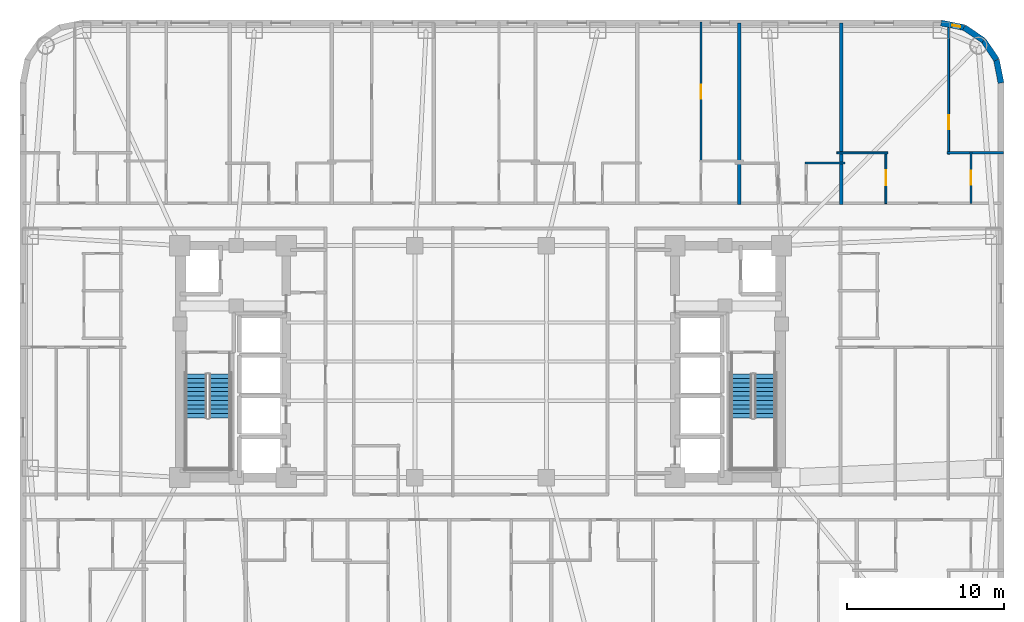
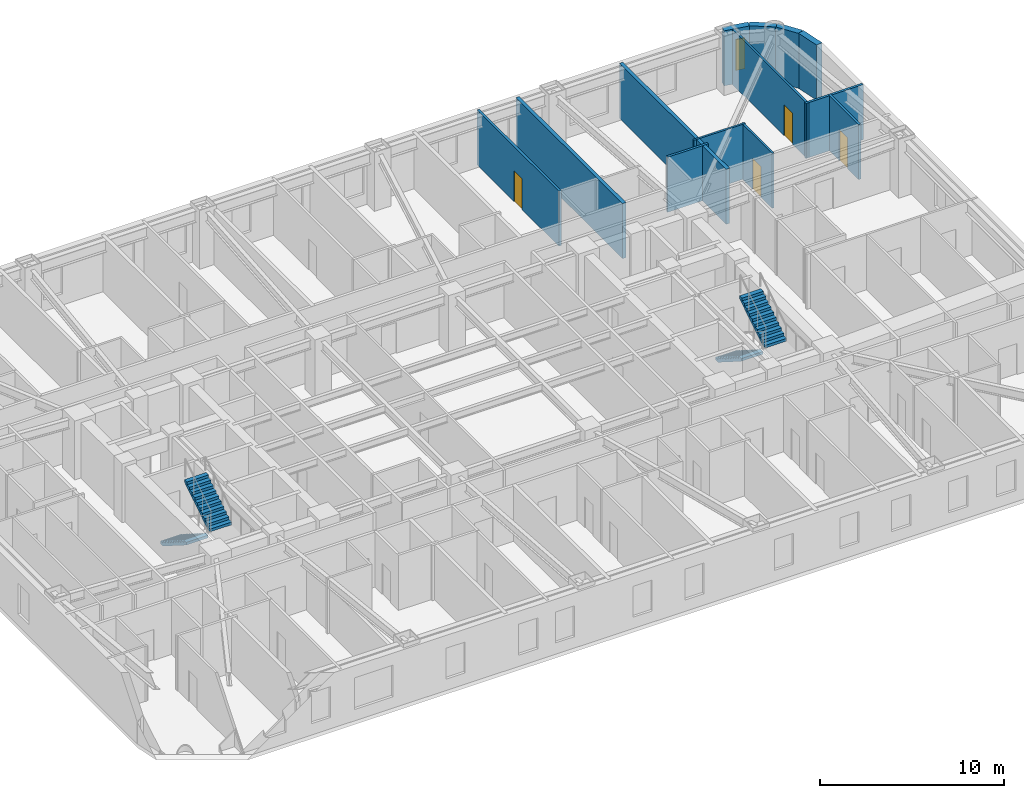
# One storey, part 10 of 12: 13 walls, 4 doors, 4 stair flights, 1 window, 5 openings, 2 elements without a shape of their own.
"""IFC4 building model written with IfcOpenShell, lengths in metres."""

import ifcopenshell
import ifcopenshell.guid

model = None  # the IFC model being written
_history = None  # IfcOwnerHistory: only IFC2X3 demands one
_inside = {}  # id of a spatial element -> (the spatial element, [elements in it])
_under = {}  # id of a project, library or spatial element -> (it, [spatial elements below it])
_declared = {}  # id of a project -> (the project, [libraries it declares])
_typed = {}  # id of a type object -> (the type object, [elements of that type])
_made_of = {}  # id of a material, layer set ... -> (it, [elements and type objects made of it])


def new_model(schema):
    """Start an empty IFC model of exactly this schema.

    Asked for "IFC4X3", IfcOpenShell would pick the latest addendum, in which some entities
    have other attributes; the version numbers below select the first issue.
    IFC2X3 requires an IfcOwnerHistory on every rooted entity: one is made here for all.
    """
    global model, _history
    if schema == "IFC4X3":
        model = ifcopenshell.file(schema_version=(4, 3, 0, 0))
    else:
        model = ifcopenshell.file(schema=schema)
    _inside.clear()
    _under.clear()
    _declared.clear()
    _typed.clear()
    _made_of.clear()
    _history = None
    if model.schema == "IFC2X3":
        org = make("IfcOrganization", Name="unknown")
        user = make(
            "IfcPersonAndOrganization",
            ThePerson=make("IfcPerson", FamilyName="unknown"),
            TheOrganization=org,
        )
        app = make(
            "IfcApplication",
            ApplicationDeveloper=org,
            Version="unknown",
            ApplicationFullName="unknown",
            ApplicationIdentifier="unknown",
        )
        _history = make(
            "IfcOwnerHistory",
            OwningUser=user,
            OwningApplication=app,
            ChangeAction="ADDED",
            CreationDate=0,
        )
    return model


def make(cls, **values):
    """One entity of the class cls with the attributes given. An attribute that is None is left unset."""
    return model.create_entity(
        cls, **{name: value for name, value in values.items() if value is not None}
    )


def rooted(cls, **values):
    """An entity with a GlobalId (a new one), such as an element, a storey or a relation."""
    return make(cls, GlobalId=ifcopenshell.guid.new(), OwnerHistory=_history, **values)


def si_unit(unit_type, name, prefix=None):
    """IfcSIUnit, for example si_unit("LENGTHUNIT", "METRE", prefix="MILLI")."""
    return make("IfcSIUnit", UnitType=unit_type, Prefix=prefix, Name=name)


def assignment(units):
    """IfcUnitAssignment: the units of a project."""
    return None if units is None else make("IfcUnitAssignment", Units=units)


def point(xyz):
    """IfcCartesianPoint."""
    return None if xyz is None else make("IfcCartesianPoint", Coordinates=xyz)


def direction(xyz):
    """IfcDirection."""
    return None if xyz is None else make("IfcDirection", DirectionRatios=xyz)


def frame(location, z_axis=None, x_axis=None):
    """IfcAxis2Placement3D, a coordinate frame: its origin and axes. An axis left out is left unset."""
    return make(
        "IfcAxis2Placement3D",
        Location=point(location),
        Axis=direction(z_axis),
        RefDirection=direction(x_axis),
    )


def frame_2d(location, x_axis=None):
    """IfcAxis2Placement2D, a coordinate frame in the plane: its origin and x axis."""
    return make(
        "IfcAxis2Placement2D", Location=point(location), RefDirection=direction(x_axis)
    )


def origin():
    """The frame at (0, 0, 0) with its axes left unset."""
    return frame((0.0, 0.0, 0.0))


def place(relative_to, where):
    """IfcLocalPlacement: puts the frame where relative to a parent placement (None: the world)."""
    return make(
        "IfcLocalPlacement", PlacementRelTo=relative_to, RelativePlacement=where
    )


def context(
    kind, dimensions, precision=None, world=None, true_north=None, identifier=None
):
    """IfcGeometricRepresentationContext, for example the 3D "Model" context."""
    return make(
        "IfcGeometricRepresentationContext",
        ContextIdentifier=identifier,
        ContextType=kind,
        CoordinateSpaceDimension=dimensions,
        Precision=precision,
        WorldCoordinateSystem=world,
        TrueNorth=true_north,
    )


def subcontext(parent, identifier, kind, view, scale=None):
    """IfcGeometricRepresentationSubContext, for example "Body" below "Model"."""
    return make(
        "IfcGeometricRepresentationSubContext",
        ContextIdentifier=identifier,
        ContextType=kind,
        ParentContext=parent,
        TargetScale=scale,
        TargetView=view,
    )


def project(units=None, contexts=None):
    """IfcProject with its units and contexts."""
    return rooted(
        "IfcProject",
        Name="project",
        RepresentationContexts=contexts,
        UnitsInContext=assignment(units),
    )


def spatial(cls, under=None, at=None, **own):
    """A site, building, storey or space (cls), placed at a placement, below another one or the project."""
    s = rooted(cls, ObjectPlacement=at, **own)
    if under is not None:
        _under.setdefault(under.id(), (under, []))[1].append(s)
    return s


def polyline(points):
    """IfcPolyline through the points."""
    return make("IfcPolyline", Points=[point(p) for p in points])


def profile(cls, at=None, kind="AREA", **sizes):
    """A parametric profile (cls). Its sizes go by their IFC names, for example OverallWidth=200.0."""
    return make(cls, ProfileType=kind, Position=at, **sizes)


def rectangle(**sizes):
    """IfcRectangleProfileDef."""
    return profile("IfcRectangleProfileDef", **sizes)


def outline(outer, holes=None, kind="AREA"):
    """IfcArbitraryClosedProfileDef: a profile drawn as a closed curve; with holes, ...WithVoids."""
    if holes is None:
        return make("IfcArbitraryClosedProfileDef", ProfileType=kind, OuterCurve=outer)
    return make(
        "IfcArbitraryProfileDefWithVoids",
        ProfileType=kind,
        OuterCurve=outer,
        InnerCurves=holes,
    )


def extrude(swept, where, along, depth):
    """IfcExtrudedAreaSolid: the profile swept, set in the frame where, extruded along a direction by depth."""
    return make(
        "IfcExtrudedAreaSolid",
        SweptArea=swept,
        Position=where,
        ExtrudedDirection=direction(along),
        Depth=depth,
    )


def shape(context_of_items, identifier, shape_type, items):
    """IfcShapeRepresentation: the items that make up one representation, for example the "Body"."""
    return make(
        "IfcShapeRepresentation",
        ContextOfItems=context_of_items,
        RepresentationIdentifier=identifier,
        RepresentationType=shape_type,
        Items=items,
    )


def material(Name=None, Category=None):
    """IfcMaterial."""
    return make("IfcMaterial", Name=Name, Category=Category)


def layer(
    of_material, thickness, ventilated=None, Name=None, Category=None, Priority=None
):
    """IfcMaterialLayer: one layer of a wall or slab, of a material (None: an air gap)."""
    return make(
        "IfcMaterialLayer",
        Material=of_material,
        LayerThickness=thickness,
        IsVentilated=ventilated,
        Name=Name,
        Category=Category,
        Priority=Priority,
    )


def layer_set(layers, Name=None):
    """IfcMaterialLayerSet."""
    return make("IfcMaterialLayerSet", MaterialLayers=layers, LayerSetName=Name)


def made_of(thing, what):
    """Note that an element or type object is made of a material, layer set ...; save() writes the relation."""
    if what is not None:
        _made_of.setdefault(what.id(), (what, []))[1].append(thing)
    return thing


def type_object(cls, material=None, **own):
    """A type object (cls), such as IfcWallType, which elements share."""
    return made_of(rooted(cls, **own), material)


def element(
    cls,
    number,
    at=None,
    inside=None,
    cuts=None,
    type_object=None,
    material=None,
    context=None,
    identifier="Body",
    shape_type=None,
    held_by="IfcProductDefinitionShape",
    body=None,
    shapes=None,
    **own,
):
    """One element of the class cls, such as IfcWall. Its Tag is "e" and its number.

    at: its placement. inside: the storey or other place that contains it. cuts: it is an
    opening in that element (IfcRelVoidsElement). A single representation is given by context,
    identifier, shape_type and body (its items); several are given by shapes. held_by: the class
    of the entity that holds the representations. save() writes the other relations.
    """
    e = rooted(cls, Tag="e%d" % number, ObjectPlacement=at, **own)
    if body is not None:
        shapes = [shape(context, identifier, shape_type, body)]
    if shapes is not None:
        e.Representation = make(held_by, Representations=shapes)
    if inside is not None:
        _inside.setdefault(inside.id(), (inside, []))[1].append(e)
    if cuts is not None:
        rooted(
            "IfcRelVoidsElement", RelatingBuildingElement=cuts, RelatedOpeningElement=e
        )
    if type_object is not None:
        _typed.setdefault(type_object.id(), (type_object, []))[1].append(e)
    return made_of(e, material)


def fill(opening, filler):
    """IfcRelFillsElement: the door or window that sits in an opening."""
    return rooted(
        "IfcRelFillsElement",
        RelatingOpeningElement=opening,
        RelatedBuildingElement=filler,
    )


def aggregate(whole, parts):
    """IfcRelAggregates: a whole, such as a stair, and the parts it consists of."""
    return rooted("IfcRelAggregates", RelatingObject=whole, RelatedObjects=parts)


def save(model, path):
    """Write the relations noted so far, then the file.

    IfcRelAggregates (storeys below a building ...), IfcRelContainedInSpatialStructure (elements
    in a storey), IfcRelDefinesByType, IfcRelAssociatesMaterial and IfcRelDeclares: one each for
    every whole, place, type object, material and project.
    """
    for whole, parts in _under.values():
        aggregate(whole, parts)
    for where, things in _inside.values():
        rooted(
            "IfcRelContainedInSpatialStructure",
            RelatedElements=things,
            RelatingStructure=where,
        )
    for kind, things in _typed.values():
        rooted("IfcRelDefinesByType", RelatedObjects=things, RelatingType=kind)
    for what, things in _made_of.values():
        rooted("IfcRelAssociatesMaterial", RelatedObjects=things, RelatingMaterial=what)
    for by, libraries in _declared.values():
        rooted("IfcRelDeclares", RelatingContext=by, RelatedDefinitions=libraries)
    model.write(path)


model = new_model("IFC4")

# Units and contexts
model_context = context("Model", 3, precision=1e-05, world=origin(), true_north=direction((0.0, 1.0)))
body_context = subcontext(model_context, "Body", "Model", "MODEL_VIEW")
ifc_project = project(units=[si_unit("LENGTHUNIT", "METRE"), si_unit("AREAUNIT", "SQUARE_METRE"), si_unit("VOLUMEUNIT", "CUBIC_METRE"), si_unit("PLANEANGLEUNIT", "RADIAN"), si_unit("MASSUNIT", "GRAM", prefix="KILO")], contexts=[model_context])

# Site, building, storey
site_placement = place(None, origin())
site = spatial("IfcSite", under=ifc_project, at=site_placement, CompositionType="ELEMENT")
building_placement = place(site_placement, origin())
building = spatial("IfcBuilding", under=site, at=building_placement, Name="Voryun Gate Residences", CompositionType="ELEMENT")
storey_placement = place(building_placement, frame((0.0, 0.0, 128.699951171875)))
storey = spatial("IfcBuildingStorey", under=building, at=storey_placement, Name="L31", CompositionType="ELEMENT", Elevation=128.699951171875)

# Wall, opening, window
ifc_material_1 = material(Name="Granite masonry", Category="masonry")
ifc_layer_1 = layer(ifc_material_1, 0.3798828125, Name="W_EXT_GRANITE_380")
ifc_layer_set_1 = layer_set([ifc_layer_1], Name="Granite masonry")
wall_type_1 = type_object("IfcWallType", Name="W_EXT_GRANITE_380", PredefinedType="ELEMENTEDWALL", material=ifc_layer_set_1)
wall_1_placement = place(storey_placement, frame((29.38134765625, 21.610107421875, 0.0), z_axis=(0.0, 0.0, 1.0), x_axis=(0.980755066645, -0.195242155415, 0.0)))
wall_1 = element("IfcWall", 1, at=wall_1_placement, inside=storey, type_object=wall_type_1, Name="Exterior wall WEXT-L31-12", PredefinedType="ELEMENTEDWALL", context=body_context, shape_type="SweptSolid", body=[
    extrude(rectangle(XDim=1.50439453125, YDim=0.3798828125, at=frame_2d((0.752197265625, 0.0))), origin(), (0.0, 0.0, 1.0), 3.650146484375),
])
opening_1_placement = place(wall_1_placement, frame((0.732177734375, 0.0, 0.75)))
opening_1 = element("IfcOpeningElement", 2, at=opening_1_placement, cuts=wall_1, Name="Opening WN10", PredefinedType="OPENING", context=body_context, shape_type="SweptSolid", body=[
    extrude(rectangle(XDim=0.52001953125, YDim=2.050048828125, at=frame_2d((0.260009765625, 1.02490234375))), frame((0.0, 0.199951171875, 0.0), z_axis=(0.0, -1.0, 0.0), x_axis=(1.0, 0.0, 0.0)), (0.0, 0.0, 1.0), 0.39990234375),
])
ifc_material_2 = material(Name="Laminated low-E glass", Category="glass")
window_type = type_object("IfcWindowType", Name="WN_PAGODA_LANCET_520", PartitioningType="SINGLE_PANEL", PredefinedType="WINDOW", material=ifc_material_2)
window_placement = place(opening_1_placement, origin())
window = element("IfcWindow", 3, at=window_placement, inside=storey, type_object=window_type, Name="Window WN-L31-DWFIX-13", OverallHeight=2.050048828125, OverallWidth=0.52001953125, PartitioningType="SINGLE_PANEL", PredefinedType="WINDOW", context=body_context, shape_type="SweptSolid", body=[
    extrude(rectangle(XDim=0.52001953125, YDim=2.050048828125, at=frame_2d((0.260009765625, 1.02490234375))), frame((0.0, 0.030029296875, 0.0), z_axis=(0.0, -1.0, 0.0), x_axis=(1.0, 0.0, 0.0)), (0.0, 0.0, 1.0), 0.06005859375),
])
fill(opening_1, window)

# Walls
wall_2_placement = place(storey_placement, frame((30.856689453125, 21.31640625, 0.0), z_axis=(0.0, 0.0, 1.0), x_axis=(0.831468045563, -0.555572577804, 0.0)))
element("IfcWall", 4, at=wall_2_placement, inside=storey, type_object=wall_type_1, Name="Exterior wall WEXT-L31-13", PredefinedType="ELEMENTEDWALL", context=body_context, shape_type="SweptSolid", body=[
    extrude(rectangle(XDim=1.48486328125, YDim=0.3798828125, at=frame_2d((0.742431640625, 0.0))), origin(), (0.0, 0.0, 1.0), 3.650146484375),
])
wall_3_placement = place(storey_placement, frame((32.09130859375, 20.491455078125, 0.0), z_axis=(0.0, 0.0, 1.0), x_axis=(0.555610286119, -0.831442848281, 0.0)))
element("IfcWall", 5, at=wall_3_placement, inside=storey, type_object=wall_type_1, Name="Exterior wall WEXT-L31-14", PredefinedType="ELEMENTEDWALL", context=body_context, shape_type="SweptSolid", body=[
    extrude(rectangle(XDim=1.485107421875, YDim=0.3798828125, at=frame_2d((0.74267578125, 0.0))), origin(), (0.0, 0.0, 1.0), 3.650146484375),
])
wall_4_placement = place(storey_placement, frame((32.91650390625, 19.256591796875, 0.0), z_axis=(0.0, 0.0, 1.0), x_axis=(0.195086038585, -0.980786132421, 0.0)))
element("IfcWall", 6, at=wall_4_placement, inside=storey, type_object=wall_type_1, Name="Exterior wall WEXT-L31-15", PredefinedType="ELEMENTEDWALL", context=body_context, shape_type="SweptSolid", body=[
    extrude(rectangle(XDim=1.504150390625, YDim=0.3798828125, at=frame_2d((0.751953125, 0.0))), origin(), (0.0, 0.0, 1.0), 3.650146484375),
])
ifc_material_3 = material(Name="Concrete C40/50", Category="concrete")
ifc_layer_2 = layer(ifc_material_3, 0.219970703125, Name="W_PARTY_ACOUSTIC_220")
ifc_layer_set_2 = layer_set([ifc_layer_2], Name="Concrete C40/50")
wall_type_2 = type_object("IfcWallType", Name="W_PARTY_ACOUSTIC_220", PredefinedType="PARTITIONING", material=ifc_layer_set_2)
for number, where, z_axis, x_axis, name in (
    (7, (16.5, 10.02001953125, 0.0), (0.0, 0.0, 1.0), (0.0, 1.0, 0.0), "Partition wall WP-L31-NPTY-7"),
    (8, (23.0, 10.02001953125, 0.0), (0.0, 0.0, 1.0), (0.0, 1.0, 0.0), "Partition wall WP-L31-NPTY-8"),
):
    element("IfcWall", number, at=place(storey_placement, frame(where, z_axis=z_axis, x_axis=x_axis)), inside=storey, type_object=wall_type_2, Name=name, PredefinedType="PARTITIONING", context=body_context, shape_type="SweptSolid", body=[
        extrude(rectangle(XDim=11.590087890625, YDim=0.219970703125, at=frame_2d((5.794921875, 0.0))), origin(), (0.0, 0.0, 1.0), 3.650146484375),
    ])

# Wall, opening, door
ifc_material_4 = material(Name="Gypsum acoustic partition")
ifc_layer_3 = layer(ifc_material_4, 0.125, Name="W_UNIT_PART_125")
ifc_layer_set_3 = layer_set([ifc_layer_3], Name="Gypsum acoustic partition")
wall_type_3 = type_object("IfcWallType", Name="W_UNIT_PART_125", PredefinedType="PARTITIONING", material=ifc_layer_set_3)
wall_5_placement = place(storey_placement, frame((29.867919921875, 13.239990234375, 0.0), z_axis=(0.0, 0.0, 1.0), x_axis=(0.0, 1.0, 0.0)))
wall_5 = element("IfcWall", 9, at=wall_5_placement, inside=storey, type_object=wall_type_3, Name="Partition wall WP-L31-N9-OVR", PredefinedType="PARTITIONING", context=body_context, shape_type="SweptSolid", body=[
    extrude(rectangle(XDim=8.426025390625, YDim=0.125, at=frame_2d((4.212890625, 0.0))), origin(), (0.0, 0.0, 1.0), 3.650146484375),
])
opening_2_placement = place(wall_5_placement, frame((1.572265625, 0.0, 0.0)))
opening_2 = element("IfcOpeningElement", 10, at=opening_2_placement, cuts=wall_5, Name="Opening D-INT-2", PredefinedType="OPENING", context=body_context, shape_type="SweptSolid", body=[
    extrude(rectangle(XDim=0.89990234375, YDim=2.050048828125, at=frame_2d((0.449951171875, 1.02490234375))), frame((0.0, 0.072509765625, 0.0), z_axis=(0.0, -1.0, 0.0), x_axis=(1.0, 0.0, 0.0)), (0.0, 0.0, 1.0), 0.14501953125),
])
ifc_material_5 = material(Name="Architectural oak veneer")
door_type_1 = type_object("IfcDoorType", Name="DR_INT_BATH_900", OperationType="NOTDEFINED", PredefinedType="DOOR", material=ifc_material_5)
door_1_placement = place(opening_2_placement, origin())
door_1 = element("IfcDoor", 11, at=door_1_placement, inside=storey, type_object=door_type_1, Name="Door DR-L31-N9-DMB", OperationType="SINGLE_SWING_RIGHT", OverallHeight=2.050048828125, OverallWidth=0.89990234375, PredefinedType="DOOR", context=body_context, shape_type="SweptSolid", body=[
    extrude(rectangle(XDim=0.89990234375, YDim=2.050048828125, at=frame_2d((0.449951171875, 1.02490234375))), frame((0.0, 0.02490234375, 0.0), z_axis=(0.0, -1.0, 0.0), x_axis=(1.0, 0.0, 0.0)), (0.0, 0.0, 1.0), 0.050048828125),
])
fill(opening_2, door_1)

wall_6_placement = place(storey_placement, frame((25.863037109375, 10.080078125, 0.0), z_axis=(0.0, 0.0, 1.0), x_axis=(0.0, 1.0, 0.0)))
wall_6 = element("IfcWall", 12, at=wall_6_placement, inside=storey, type_object=wall_type_3, Name="Partition wall WP-L31-N9-IVK", PredefinedType="PARTITIONING", context=body_context, shape_type="SweptSolid", body=[
    extrude(rectangle(XDim=3.31982421875, YDim=0.125, at=frame_2d((1.659912109375, 0.0))), origin(), (0.0, 0.0, 1.0), 3.650146484375),
])
opening_3_placement = place(wall_6_placement, frame((1.18505859375, 0.0, 0.0)))
opening_3 = element("IfcOpeningElement", 13, at=opening_3_placement, cuts=wall_6, Name="Opening D-INT-1", PredefinedType="OPENING", context=body_context, shape_type="SweptSolid", body=[
    extrude(rectangle(XDim=0.949951171875, YDim=2.050048828125, at=frame_2d((0.47509765625, 1.02490234375))), frame((0.0, 0.072509765625, 0.0), z_axis=(0.0, -1.0, 0.0), x_axis=(1.0, 0.0, 0.0)), (0.0, 0.0, 1.0), 0.14501953125),
])
ifc_material_6 = material(Name="Architectural oak veneer")
door_type_2 = type_object("IfcDoorType", Name="DR_INT_ROOM_950", OperationType="NOTDEFINED", PredefinedType="DOOR", material=ifc_material_6)
door_2_placement = place(opening_3_placement, origin())
door_2 = element("IfcDoor", 14, at=door_2_placement, inside=storey, type_object=door_type_2, Name="Door DR-L31-N9-DK", OperationType="SINGLE_SWING_LEFT", OverallHeight=2.050048828125, OverallWidth=0.949951171875, PredefinedType="DOOR", context=body_context, shape_type="SweptSolid", body=[
    extrude(rectangle(XDim=0.949951171875, YDim=2.050048828125, at=frame_2d((0.47509765625, 1.02490234375))), frame((0.0, 0.02490234375, 0.0), z_axis=(0.0, -1.0, 0.0), x_axis=(1.0, 0.0, 0.0)), (0.0, 0.0, 1.0), 0.050048828125),
])
fill(opening_3, door_2)

# Wall
wall_7_placement = place(storey_placement, frame((22.739990234375, 13.320068359375, 0.0), z_axis=(0.0, 0.0, 1.0), x_axis=(1.0, 0.0, 0.0)))
element("IfcWall", 15, at=wall_7_placement, inside=storey, type_object=wall_type_3, Name="Partition wall WP-L31-N9-HZK", PredefinedType="PARTITIONING", context=body_context, shape_type="SweptSolid", body=[
    extrude(rectangle(XDim=3.242919921875, YDim=0.125, at=frame_2d((1.62158203125, 0.0))), origin(), (0.0, 0.0, 1.0), 3.650146484375),
])

# Wall, opening, door
ifc_material_7 = material(Name="Gypsum moisture-resistant partition")
ifc_layer_4 = layer(ifc_material_7, 0.14990234375, Name="W_WET_PLUMB_150")
ifc_layer_set_4 = layer_set([ifc_layer_4], Name="Gypsum moisture-resistant partition")
wall_type_4 = type_object("IfcWallType", Name="W_WET_PLUMB_150", PredefinedType="PLUMBINGWALL", material=ifc_layer_set_4)
wall_8_placement = place(storey_placement, frame((14.06005859375, 12.760009765625, 0.0), z_axis=(0.0, 0.0, 1.0), x_axis=(0.0, 1.0, 0.0)))
wall_8 = element("IfcWall", 16, at=wall_8_placement, inside=storey, type_object=wall_type_4, Name="Partition wall WP-L31-N7-SVT2", PredefinedType="PLUMBINGWALL", context=body_context, shape_type="SweptSolid", body=[
    extrude(rectangle(XDim=8.897705078125, YDim=0.14990234375, at=frame_2d((4.44873046875, 0.0))), origin(), (0.0, 0.0, 1.0), 3.650146484375),
])
opening_4_placement = place(wall_8_placement, frame((3.998779296875, 0.0, 0.0)))
opening_4 = element("IfcOpeningElement", 17, at=opening_4_placement, cuts=wall_8, Name="Opening D-INT-2", PredefinedType="OPENING", context=body_context, shape_type="SweptSolid", body=[
    extrude(rectangle(XDim=0.89990234375, YDim=2.050048828125, at=frame_2d((0.449951171875, 1.02490234375))), frame((0.0, 0.0849609375, 0.0), z_axis=(0.0, -1.0, 0.0), x_axis=(1.0, 0.0, 0.0)), (0.0, 0.0, 1.0), 0.169921875),
])
door_3_placement = place(opening_4_placement, origin())
door_3 = element("IfcDoor", 18, at=door_3_placement, inside=storey, type_object=door_type_1, Name="Door DR-L31-N7-DK", OperationType="SINGLE_SWING_RIGHT", OverallHeight=2.050048828125, OverallWidth=0.89990234375, PredefinedType="DOOR", context=body_context, shape_type="SweptSolid", body=[
    extrude(rectangle(XDim=0.89990234375, YDim=2.050048828125, at=frame_2d((0.449951171875, 1.02490234375))), frame((0.0, 0.02490234375, 0.0), z_axis=(0.0, -1.0, 0.0), x_axis=(1.0, 0.0, 0.0)), (0.0, 0.0, 1.0), 0.050048828125),
])
fill(opening_4, door_3)

# Walls
wall_9_placement = place(storey_placement, frame((20.7109375, 12.669921875, 0.0), z_axis=(0.0, 0.0, 1.0), x_axis=(1.0, 0.0, 0.0)))
element("IfcWall", 19, at=wall_9_placement, inside=storey, type_object=wall_type_4, Name="Partition wall WP-L31-N8-CHB", PredefinedType="PLUMBINGWALL", context=body_context, shape_type="SweptSolid", body=[
    extrude(rectangle(XDim=2.549072265625, YDim=0.14990234375, at=frame_2d((1.2744140625, 0.0))), origin(), (0.0, 0.0, 1.0), 3.650146484375),
])
wall_10_placement = place(storey_placement, frame((29.748046875, 13.320068359375, 0.0), z_axis=(0.0, 0.0, 1.0), x_axis=(1.0, 0.0, 0.0)))
element("IfcWall", 20, at=wall_10_placement, inside=storey, type_object=wall_type_4, Name="Partition wall WP-L31-N9-HZB", PredefinedType="PLUMBINGWALL", context=body_context, shape_type="SweptSolid", body=[
    extrude(rectangle(XDim=3.612060546875, YDim=0.14990234375, at=frame_2d((1.80615234375, 0.0))), origin(), (0.0, 0.0, 1.0), 3.650146484375),
])

# Wall, opening, door
wall_11_placement = place(storey_placement, frame((31.298095703125, 10.080078125, 0.0), z_axis=(0.0, 0.0, 1.0), x_axis=(0.0, 1.0, 0.0)))
wall_11 = element("IfcWall", 21, at=wall_11_placement, inside=storey, type_object=wall_type_4, Name="Partition wall WP-L31-N9-IVB", PredefinedType="PLUMBINGWALL", context=body_context, shape_type="SweptSolid", body=[
    extrude(rectangle(XDim=3.31982421875, YDim=0.14990234375, at=frame_2d((1.659912109375, 0.0))), origin(), (0.0, 0.0, 1.0), 3.650146484375),
])
opening_5_placement = place(wall_11_placement, frame((1.2099609375, 0.0, 0.0)))
opening_5 = element("IfcOpeningElement", 22, at=opening_5_placement, cuts=wall_11, Name="Opening D-INT-2", PredefinedType="OPENING", context=body_context, shape_type="SweptSolid", body=[
    extrude(rectangle(XDim=0.89990234375, YDim=2.050048828125, at=frame_2d((0.449951171875, 1.02490234375))), frame((0.0, 0.0849609375, 0.0), z_axis=(0.0, -1.0, 0.0), x_axis=(1.0, 0.0, 0.0)), (0.0, 0.0, 1.0), 0.169921875),
])
door_4_placement = place(opening_5_placement, origin())
door_4 = element("IfcDoor", 23, at=door_4_placement, inside=storey, type_object=door_type_1, Name="Door DR-L31-N9-DB", OperationType="SINGLE_SWING_RIGHT", OverallHeight=2.050048828125, OverallWidth=0.89990234375, PredefinedType="DOOR", context=body_context, shape_type="SweptSolid", body=[
    extrude(rectangle(XDim=0.89990234375, YDim=2.050048828125, at=frame_2d((0.449951171875, 1.02490234375))), frame((0.0, 0.02490234375, 0.0), z_axis=(0.0, -1.0, 0.0), x_axis=(1.0, 0.0, 0.0)), (0.0, 0.0, 1.0), 0.050048828125),
])
fill(opening_5, door_4)

# Stair, stair flights
ifc_material_8 = material(Name="Concrete C40/50", Category="concrete")
stair_type = type_object("IfcStairType", Name="STR_CORE_DOGLEG_1350", PredefinedType="HALF_TURN_STAIR", material=ifc_material_8)
stair_1_placement = place(storey_placement, origin())
stair_1 = element("IfcStair", 24, at=stair_1_placement, inside=storey, type_object=stair_type, Name="L31 Special Escape Stair ST-W1", PredefinedType="HALF_TURN_STAIR")
ifc_material_9 = material(Name="Concrete C40/50", Category="concrete")
stair_flight_type = type_object("IfcStairFlightType", Name="FLT_CORE_1350", PredefinedType="STRAIGHT", material=ifc_material_9)
stair_flight_1_placement = place(storey_placement, frame((-18.14990234375, -0.800048828125, 0.0), z_axis=(0.0, 0.0, 1.0), x_axis=(0.0, -1.0, 0.0)))
stair_flight_1 = element("IfcStairFlight", 25, at=stair_flight_1_placement, type_object=stair_flight_type, Name="ST-W1 flight 1", NumberOfRisers=11, NumberOfTreads=10, PredefinedType="STRAIGHT", RiserHeight=0.177272727, TreadLength=0.28, context=body_context, shape_type="SweptSolid", body=[
    extrude(outline(polyline([(0.0, 0.0), (0.0, 0.17724609375), (0.280029296875, 0.17724609375), (0.280029296875, 0.3544921875), (0.56005859375, 0.3544921875), (0.56005859375, 0.53173828125), (0.840087890625, 0.53173828125), (0.840087890625, 0.708984375), (1.1201171875, 0.708984375), (1.1201171875, 0.886474609375), (1.39990234375, 0.886474609375), (1.39990234375, 1.063720703125), (1.679931640625, 1.063720703125), (1.679931640625, 1.240966796875), (1.9599609375, 1.240966796875), (1.9599609375, 1.418212890625), (2.239990234375, 1.418212890625), (2.239990234375, 1.595458984375), (2.52001953125, 1.595458984375), (2.52001953125, 1.772705078125), (2.800048828125, 1.772705078125), (2.800048828125, 1.949951171875), (2.800048828125, 1.59521484375), (0.2802734375, 0.0), (0.0, 0.0)])), frame((0.0, 0.675048828125, 0.0), z_axis=(0.0, -1.0, 0.0), x_axis=(1.0, 0.0, 0.0)), (0.0, 0.0, 1.0), 1.35009765625),
])
stair_flight_2_placement = place(storey_placement, frame((-16.64990234375, -3.60009765625, 1.949951171875), z_axis=(0.0, 0.0, 1.0), x_axis=(0.0, 1.0, 0.0)))
stair_flight_2 = element("IfcStairFlight", 26, at=stair_flight_2_placement, type_object=stair_flight_type, Name="ST-W1 flight 2", NumberOfRisers=11, NumberOfTreads=10, PredefinedType="STRAIGHT", RiserHeight=0.177272727, TreadLength=0.28, context=body_context, shape_type="SweptSolid", body=[
    extrude(outline(polyline([(0.0, 0.0), (0.0, 0.17724609375), (0.280029296875, 0.17724609375), (0.280029296875, 0.3544921875), (0.56005859375, 0.3544921875), (0.56005859375, 0.53173828125), (0.840087890625, 0.53173828125), (0.840087890625, 0.708984375), (1.1201171875, 0.708984375), (1.1201171875, 0.886474609375), (1.39990234375, 0.886474609375), (1.39990234375, 1.063720703125), (1.679931640625, 1.063720703125), (1.679931640625, 1.240966796875), (1.9599609375, 1.240966796875), (1.9599609375, 1.418212890625), (2.239990234375, 1.418212890625), (2.239990234375, 1.595458984375), (2.52001953125, 1.595458984375), (2.52001953125, 1.772705078125), (2.800048828125, 1.772705078125), (2.800048828125, 1.949951171875), (2.800048828125, 1.59521484375), (0.2802734375, 0.0), (0.0, 0.0)])), frame((0.0, 0.675048828125, 0.0), z_axis=(0.0, -1.0, 0.0), x_axis=(1.0, 0.0, 0.0)), (0.0, 0.0, 1.0), 1.35009765625),
])
aggregate(stair_1, [stair_flight_1, stair_flight_2])

stair_2_placement = place(storey_placement, origin())
stair_2 = element("IfcStair", 27, at=stair_2_placement, inside=storey, type_object=stair_type, Name="L31 Special Escape Stair ST-E1", PredefinedType="HALF_TURN_STAIR")
stair_flight_3_placement = place(storey_placement, frame((16.64990234375, -0.800048828125, 0.0), z_axis=(0.0, 0.0, 1.0), x_axis=(0.0, -1.0, 0.0)))
stair_flight_3 = element("IfcStairFlight", 28, at=stair_flight_3_placement, type_object=stair_flight_type, Name="ST-E1 flight 1", NumberOfRisers=11, NumberOfTreads=10, PredefinedType="STRAIGHT", RiserHeight=0.177272727, TreadLength=0.28, context=body_context, shape_type="SweptSolid", body=[
    extrude(outline(polyline([(0.0, 0.0), (0.0, 0.17724609375), (0.280029296875, 0.17724609375), (0.280029296875, 0.3544921875), (0.56005859375, 0.3544921875), (0.56005859375, 0.53173828125), (0.840087890625, 0.53173828125), (0.840087890625, 0.708984375), (1.1201171875, 0.708984375), (1.1201171875, 0.886474609375), (1.39990234375, 0.886474609375), (1.39990234375, 1.063720703125), (1.679931640625, 1.063720703125), (1.679931640625, 1.240966796875), (1.9599609375, 1.240966796875), (1.9599609375, 1.418212890625), (2.239990234375, 1.418212890625), (2.239990234375, 1.595458984375), (2.52001953125, 1.595458984375), (2.52001953125, 1.772705078125), (2.800048828125, 1.772705078125), (2.800048828125, 1.949951171875), (2.800048828125, 1.59521484375), (0.2802734375, 0.0), (0.0, 0.0)])), frame((0.0, 0.675048828125, 0.0), z_axis=(0.0, -1.0, 0.0), x_axis=(1.0, 0.0, 0.0)), (0.0, 0.0, 1.0), 1.35009765625),
])
stair_flight_4_placement = place(storey_placement, frame((18.14990234375, -3.60009765625, 1.949951171875), z_axis=(0.0, 0.0, 1.0), x_axis=(0.0, 1.0, 0.0)))
stair_flight_4 = element("IfcStairFlight", 29, at=stair_flight_4_placement, type_object=stair_flight_type, Name="ST-E1 flight 2", NumberOfRisers=11, NumberOfTreads=10, PredefinedType="STRAIGHT", RiserHeight=0.177272727, TreadLength=0.28, context=body_context, shape_type="SweptSolid", body=[
    extrude(outline(polyline([(0.0, 0.0), (0.0, 0.17724609375), (0.280029296875, 0.17724609375), (0.280029296875, 0.3544921875), (0.56005859375, 0.3544921875), (0.56005859375, 0.53173828125), (0.840087890625, 0.53173828125), (0.840087890625, 0.708984375), (1.1201171875, 0.708984375), (1.1201171875, 0.886474609375), (1.39990234375, 0.886474609375), (1.39990234375, 1.063720703125), (1.679931640625, 1.063720703125), (1.679931640625, 1.240966796875), (1.9599609375, 1.240966796875), (1.9599609375, 1.418212890625), (2.239990234375, 1.418212890625), (2.239990234375, 1.595458984375), (2.52001953125, 1.595458984375), (2.52001953125, 1.772705078125), (2.800048828125, 1.772705078125), (2.800048828125, 1.949951171875), (2.800048828125, 1.59521484375), (0.2802734375, 0.0), (0.0, 0.0)])), frame((0.0, 0.675048828125, 0.0), z_axis=(0.0, -1.0, 0.0), x_axis=(1.0, 0.0, 0.0)), (0.0, 0.0, 1.0), 1.35009765625),
])
aggregate(stair_2, [stair_flight_3, stair_flight_4])

save(model, "model.ifc")
